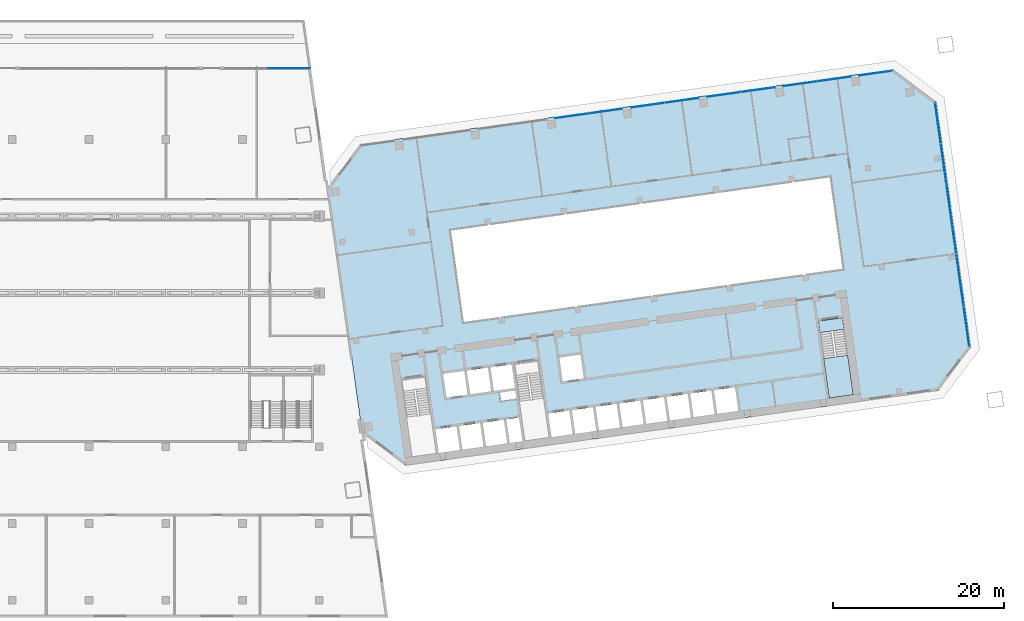
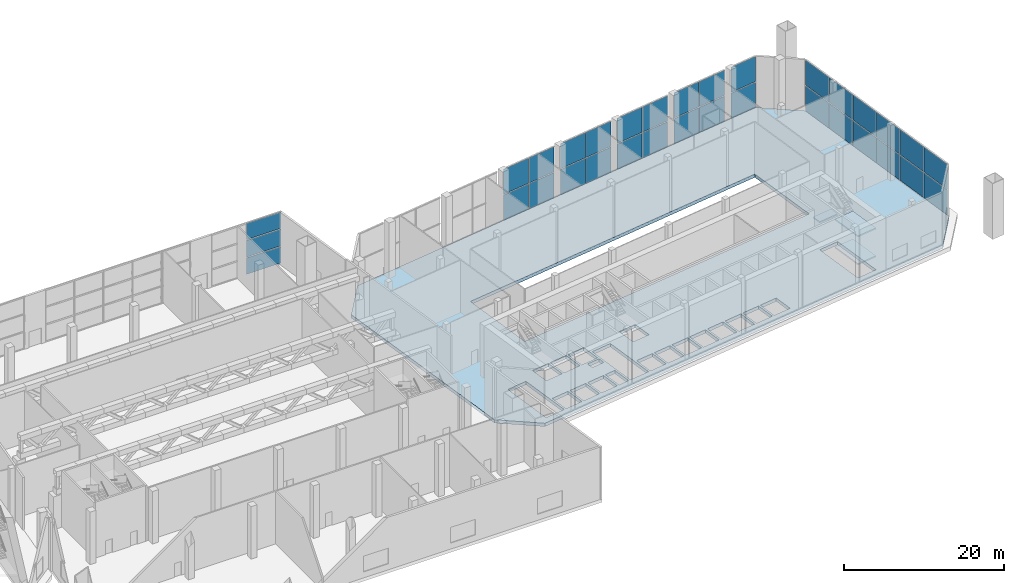
# One storey, part 16 of 31: 33 plates, 4 slabs, 4 elements without a shape of their own.
"""IFC4 building model written with IfcOpenShell, lengths in metres."""

from ifc_helpers import new_model, si_unit, direction, frame, origin, origin_2d, place, context, subcontext, project, spatial, polyline, rectangle, outline, extrude, material, layer, layer_set, type_object, element, aggregate, save


model = new_model("IFC4")

# Units and contexts
model_context = context("Model", 3, precision=1e-05, world=origin(), true_north=direction((0.0, 1.0)))
body_context = subcontext(model_context, "Body", "Model", "MODEL_VIEW")
ifc_project = project(units=[si_unit("LENGTHUNIT", "METRE"), si_unit("AREAUNIT", "SQUARE_METRE"), si_unit("VOLUMEUNIT", "CUBIC_METRE"), si_unit("PLANEANGLEUNIT", "RADIAN"), si_unit("MASSUNIT", "GRAM", prefix="KILO")], contexts=[model_context])

# Site, building, storey
site_placement = place(None, origin())
site = spatial("IfcSite", under=ifc_project, at=site_placement, CompositionType="ELEMENT")
building_placement = place(site_placement, origin())
building = spatial("IfcBuilding", under=site, at=building_placement, Name="Mirante Cascada Hotel Towers", CompositionType="ELEMENT")
storey_placement = place(building_placement, frame((0.0, 0.0, 9.0)))
storey = spatial("IfcBuildingStorey", under=building, at=storey_placement, Name="L01", CompositionType="ELEMENT", Elevation=9.0)

# Curtain wall, plates
ifc_material_1 = material(Name="Aluminium mullion and transom frame with clear laminated glass", Category="aluminium")
curtain_wall_type = type_object("IfcCurtainWallType", Name="Podium curtain wall ECW3", PredefinedType="NOTDEFINED", material=ifc_material_1)
curtain_wall_1_placement = place(storey_placement, origin())
curtain_wall_1 = element("IfcCurtainWall", 1, at=curtain_wall_1_placement, inside=storey, type_object=curtain_wall_type, Name="Front podium glazing T2 L01", PredefinedType="NOTDEFINED")
ifc_material_2 = material(Name="Clear laminated glass", Category="glass")
ifc_layer_1 = layer(ifc_material_2, 0.04)
ifc_layer_set_1 = layer_set([ifc_layer_1], Name="ECW3 glass panel 40")
plate_type = type_object("IfcPlateType", Name="ECW3 glass panel 40", PredefinedType="CURTAIN_PANEL", material=ifc_layer_set_1)
plate_1_placement = place(storey_placement, frame((92.1787, 25.7739, 0.12), z_axis=(0.0, 0.0, 1.0), x_axis=(-0.9902681, -0.1391731, 0.0)))
plate_1 = element("IfcPlate", 2, at=plate_1_placement, type_object=plate_type, Name="ECW3 panel 1", PredefinedType="CURTAIN_PANEL", context=body_context, shape_type="SweptSolid", body=[
    extrude(rectangle(XDim=3.8379, YDim=0.04, at=origin_2d()), origin(), (0.0, 0.0, 1.0), 3.82),
])
plate_2_placement = place(storey_placement, frame((92.1787, 25.7739, 4.06), z_axis=(0.0, 0.0, 1.0), x_axis=(-0.9902681, -0.1391731, 0.0)))
plate_2 = element("IfcPlate", 3, at=plate_2_placement, type_object=plate_type, Name="ECW3 panel 1", PredefinedType="CURTAIN_PANEL", context=body_context, shape_type="SweptSolid", body=[
    extrude(rectangle(XDim=3.8379, YDim=0.04, at=origin_2d()), origin(), (0.0, 0.0, 1.0), 3.82),
])
plate_3_placement = place(storey_placement, frame((87.2757, 25.0848, 0.12), z_axis=(0.0, 0.0, 1.0), x_axis=(-0.9902681, -0.1391731, 0.0)))
plate_3 = element("IfcPlate", 4, at=plate_3_placement, type_object=plate_type, Name="ECW3 panel 2", PredefinedType="CURTAIN_PANEL", context=body_context, shape_type="SweptSolid", body=[
    extrude(rectangle(XDim=3.9844, YDim=0.04, at=origin_2d()), origin(), (0.0, 0.0, 1.0), 3.82),
])
plate_4_placement = place(storey_placement, frame((87.2757, 25.0848, 4.06), z_axis=(0.0, 0.0, 1.0), x_axis=(-0.9902681, -0.1391731, 0.0)))
plate_4 = element("IfcPlate", 5, at=plate_4_placement, type_object=plate_type, Name="ECW3 panel 2", PredefinedType="CURTAIN_PANEL", context=body_context, shape_type="SweptSolid", body=[
    extrude(rectangle(XDim=3.9844, YDim=0.04, at=origin_2d()), origin(), (0.0, 0.0, 1.0), 3.82),
])
plate_5_placement = place(storey_placement, frame((83.2949, 24.5254, 0.12), z_axis=(0.0, 0.0, 1.0), x_axis=(-0.9902681, -0.1391731, 0.0)))
plate_5 = element("IfcPlate", 6, at=plate_5_placement, type_object=plate_type, Name="ECW3 panel 3", PredefinedType="CURTAIN_PANEL", context=body_context, shape_type="SweptSolid", body=[
    extrude(rectangle(XDim=3.8956, YDim=0.04, at=origin_2d()), origin(), (0.0, 0.0, 1.0), 3.82),
])
plate_6_placement = place(storey_placement, frame((83.2949, 24.5254, 4.06), z_axis=(0.0, 0.0, 1.0), x_axis=(-0.9902681, -0.1391731, 0.0)))
plate_6 = element("IfcPlate", 7, at=plate_6_placement, type_object=plate_type, Name="ECW3 panel 3", PredefinedType="CURTAIN_PANEL", context=body_context, shape_type="SweptSolid", body=[
    extrude(rectangle(XDim=3.8956, YDim=0.04, at=origin_2d()), origin(), (0.0, 0.0, 1.0), 3.82),
])
plate_7_placement = place(storey_placement, frame((78.3721, 23.8335, 0.12), z_axis=(0.0, 0.0, 1.0), x_axis=(-0.9902681, -0.1391731, 0.0)))
plate_7 = element("IfcPlate", 8, at=plate_7_placement, type_object=plate_type, Name="ECW3 panel 4", PredefinedType="CURTAIN_PANEL", context=body_context, shape_type="SweptSolid", body=[
    extrude(rectangle(XDim=3.9666, YDim=0.04, at=origin_2d()), origin(), (0.0, 0.0, 1.0), 3.82),
])
plate_8_placement = place(storey_placement, frame((78.3721, 23.8335, 4.06), z_axis=(0.0, 0.0, 1.0), x_axis=(-0.9902681, -0.1391731, 0.0)))
plate_8 = element("IfcPlate", 9, at=plate_8_placement, type_object=plate_type, Name="ECW3 panel 4", PredefinedType="CURTAIN_PANEL", context=body_context, shape_type="SweptSolid", body=[
    extrude(rectangle(XDim=3.9666, YDim=0.04, at=origin_2d()), origin(), (0.0, 0.0, 1.0), 3.82),
])
plate_9_placement = place(storey_placement, frame((74.3912, 23.274, 0.12), z_axis=(0.0, 0.0, 1.0), x_axis=(-0.9902681, -0.1391731, 0.0)))
plate_9 = element("IfcPlate", 10, at=plate_9_placement, type_object=plate_type, Name="ECW3 panel 5", PredefinedType="CURTAIN_PANEL", context=body_context, shape_type="SweptSolid", body=[
    extrude(rectangle(XDim=3.9134, YDim=0.04, at=origin_2d()), origin(), (0.0, 0.0, 1.0), 3.82),
])
plate_10_placement = place(storey_placement, frame((74.3912, 23.274, 4.06), z_axis=(0.0, 0.0, 1.0), x_axis=(-0.9902681, -0.1391731, 0.0)))
plate_10 = element("IfcPlate", 11, at=plate_10_placement, type_object=plate_type, Name="ECW3 panel 5", PredefinedType="CURTAIN_PANEL", context=body_context, shape_type="SweptSolid", body=[
    extrude(rectangle(XDim=3.9134, YDim=0.04, at=origin_2d()), origin(), (0.0, 0.0, 1.0), 3.82),
])
plate_11_placement = place(storey_placement, frame((69.4685, 22.5822, 0.12), z_axis=(0.0, 0.0, 1.0), x_axis=(-0.9902681, -0.1391731, 0.0)))
plate_11 = element("IfcPlate", 12, at=plate_11_placement, type_object=plate_type, Name="ECW3 panel 6", PredefinedType="CURTAIN_PANEL", context=body_context, shape_type="SweptSolid", body=[
    extrude(rectangle(XDim=3.9489, YDim=0.04, at=origin_2d()), origin(), (0.0, 0.0, 1.0), 3.82),
])
plate_12_placement = place(storey_placement, frame((69.4685, 22.5822, 4.06), z_axis=(0.0, 0.0, 1.0), x_axis=(-0.9902681, -0.1391731, 0.0)))
plate_12 = element("IfcPlate", 13, at=plate_12_placement, type_object=plate_type, Name="ECW3 panel 6", PredefinedType="CURTAIN_PANEL", context=body_context, shape_type="SweptSolid", body=[
    extrude(rectangle(XDim=3.9489, YDim=0.04, at=origin_2d()), origin(), (0.0, 0.0, 1.0), 3.82),
])
plate_13_placement = place(storey_placement, frame((65.4876, 22.0227, 0.12), z_axis=(0.0, 0.0, 1.0), x_axis=(-0.9902681, -0.1391731, 0.0)))
plate_13 = element("IfcPlate", 14, at=plate_13_placement, type_object=plate_type, Name="ECW3 panel 7", PredefinedType="CURTAIN_PANEL", context=body_context, shape_type="SweptSolid", body=[
    extrude(rectangle(XDim=3.9311, YDim=0.04, at=origin_2d()), origin(), (0.0, 0.0, 1.0), 3.82),
])
plate_14_placement = place(storey_placement, frame((65.4876, 22.0227, 4.06), z_axis=(0.0, 0.0, 1.0), x_axis=(-0.9902681, -0.1391731, 0.0)))
plate_14 = element("IfcPlate", 15, at=plate_14_placement, type_object=plate_type, Name="ECW3 panel 7", PredefinedType="CURTAIN_PANEL", context=body_context, shape_type="SweptSolid", body=[
    extrude(rectangle(XDim=3.9311, YDim=0.04, at=origin_2d()), origin(), (0.0, 0.0, 1.0), 3.82),
])
plate_15_placement = place(storey_placement, frame((60.5649, 21.3309, 0.12), z_axis=(0.0, 0.0, 1.0), x_axis=(-0.9902681, -0.1391731, 0.0)))
plate_15 = element("IfcPlate", 16, at=plate_15_placement, type_object=plate_type, Name="ECW3 panel 8", PredefinedType="CURTAIN_PANEL", context=body_context, shape_type="SweptSolid", body=[
    extrude(rectangle(XDim=3.9311, YDim=0.04, at=origin_2d()), origin(), (0.0, 0.0, 1.0), 3.82),
])
plate_16_placement = place(storey_placement, frame((60.5649, 21.3309, 4.06), z_axis=(0.0, 0.0, 1.0), x_axis=(-0.9902681, -0.1391731, 0.0)))
plate_16 = element("IfcPlate", 17, at=plate_16_placement, type_object=plate_type, Name="ECW3 panel 8", PredefinedType="CURTAIN_PANEL", context=body_context, shape_type="SweptSolid", body=[
    extrude(rectangle(XDim=3.9311, YDim=0.04, at=origin_2d()), origin(), (0.0, 0.0, 1.0), 3.82),
])
plate_17_placement = place(storey_placement, frame((56.584, 20.7714, 0.12), z_axis=(0.0, 0.0, 1.0), x_axis=(-0.9902681, -0.1391731, 0.0)))
plate_17 = element("IfcPlate", 18, at=plate_17_placement, type_object=plate_type, Name="ECW3 panel 9", PredefinedType="CURTAIN_PANEL", context=body_context, shape_type="SweptSolid", body=[
    extrude(rectangle(XDim=3.9489, YDim=0.04, at=origin_2d()), origin(), (0.0, 0.0, 1.0), 3.82),
])
plate_18_placement = place(storey_placement, frame((56.584, 20.7714, 4.06), z_axis=(0.0, 0.0, 1.0), x_axis=(-0.9902681, -0.1391731, 0.0)))
plate_18 = element("IfcPlate", 19, at=plate_18_placement, type_object=plate_type, Name="ECW3 panel 9", PredefinedType="CURTAIN_PANEL", context=body_context, shape_type="SweptSolid", body=[
    extrude(rectangle(XDim=3.9489, YDim=0.04, at=origin_2d()), origin(), (0.0, 0.0, 1.0), 3.82),
])
aggregate(curtain_wall_1, [plate_1, plate_2, plate_3, plate_4, plate_5, plate_6, plate_7, plate_8, plate_9, plate_10, plate_11, plate_12, plate_13, plate_14, plate_15, plate_16, plate_17, plate_18])

curtain_wall_2_placement = place(storey_placement, origin())
curtain_wall_2 = element("IfcCurtainWall", 20, at=curtain_wall_2_placement, inside=storey, type_object=curtain_wall_type, Name="Outer end podium glazing T2 L01", PredefinedType="NOTDEFINED")
plate_19_placement = place(storey_placement, frame((102.8224, -3.8951, 0.12), z_axis=(0.0, 0.0, 1.0), x_axis=(-0.1391731, 0.9902681, 0.0)))
plate_19 = element("IfcPlate", 21, at=plate_19_placement, type_object=plate_type, Name="ECW3 panel 1", PredefinedType="CURTAIN_PANEL", context=body_context, shape_type="SweptSolid", body=[
    extrude(rectangle(XDim=4.6926, YDim=0.04, at=origin_2d()), origin(), (0.0, 0.0, 1.0), 3.82),
])
plate_20_placement = place(storey_placement, frame((102.8224, -3.8951, 4.06), z_axis=(0.0, 0.0, 1.0), x_axis=(-0.1391731, 0.9902681, 0.0)))
plate_20 = element("IfcPlate", 22, at=plate_20_placement, type_object=plate_type, Name="ECW3 panel 1", PredefinedType="CURTAIN_PANEL", context=body_context, shape_type="SweptSolid", body=[
    extrude(rectangle(XDim=4.6926, YDim=0.04, at=origin_2d()), origin(), (0.0, 0.0, 1.0), 3.82),
])
plate_21_placement = place(storey_placement, frame((102.1554, 0.8509, 0.12), z_axis=(0.0, 0.0, 1.0), x_axis=(-0.1391731, 0.9902681, 0.0)))
plate_21 = element("IfcPlate", 23, at=plate_21_placement, type_object=plate_type, Name="ECW3 panel 2", PredefinedType="CURTAIN_PANEL", context=body_context, shape_type="SweptSolid", body=[
    extrude(rectangle(XDim=4.7326, YDim=0.04, at=origin_2d()), origin(), (0.0, 0.0, 1.0), 3.82),
])
plate_22_placement = place(storey_placement, frame((102.1554, 0.8509, 4.06), z_axis=(0.0, 0.0, 1.0), x_axis=(-0.1391731, 0.9902681, 0.0)))
plate_22 = element("IfcPlate", 24, at=plate_22_placement, type_object=plate_type, Name="ECW3 panel 2", PredefinedType="CURTAIN_PANEL", context=body_context, shape_type="SweptSolid", body=[
    extrude(rectangle(XDim=4.7326, YDim=0.04, at=origin_2d()), origin(), (0.0, 0.0, 1.0), 3.82),
])
plate_23_placement = place(storey_placement, frame((101.4857, 5.6167, 0.12), z_axis=(0.0, 0.0, 1.0), x_axis=(-0.1391731, 0.9902681, 0.0)))
plate_23 = element("IfcPlate", 25, at=plate_23_placement, type_object=plate_type, Name="ECW3 panel 3", PredefinedType="CURTAIN_PANEL", context=body_context, shape_type="SweptSolid", body=[
    extrude(rectangle(XDim=4.7326, YDim=0.04, at=origin_2d()), origin(), (0.0, 0.0, 1.0), 3.82),
])
plate_24_placement = place(storey_placement, frame((101.4857, 5.6167, 4.06), z_axis=(0.0, 0.0, 1.0), x_axis=(-0.1391731, 0.9902681, 0.0)))
plate_24 = element("IfcPlate", 26, at=plate_24_placement, type_object=plate_type, Name="ECW3 panel 3", PredefinedType="CURTAIN_PANEL", context=body_context, shape_type="SweptSolid", body=[
    extrude(rectangle(XDim=4.7326, YDim=0.04, at=origin_2d()), origin(), (0.0, 0.0, 1.0), 3.82),
])
plate_25_placement = place(storey_placement, frame((100.8159, 10.3825, 0.12), z_axis=(0.0, 0.0, 1.0), x_axis=(-0.1391731, 0.9902681, 0.0)))
plate_25 = element("IfcPlate", 27, at=plate_25_placement, type_object=plate_type, Name="ECW3 panel 4", PredefinedType="CURTAIN_PANEL", context=body_context, shape_type="SweptSolid", body=[
    extrude(rectangle(XDim=4.7326, YDim=0.04, at=origin_2d()), origin(), (0.0, 0.0, 1.0), 3.82),
])
plate_26_placement = place(storey_placement, frame((100.8159, 10.3825, 4.06), z_axis=(0.0, 0.0, 1.0), x_axis=(-0.1391731, 0.9902681, 0.0)))
plate_26 = element("IfcPlate", 28, at=plate_26_placement, type_object=plate_type, Name="ECW3 panel 4", PredefinedType="CURTAIN_PANEL", context=body_context, shape_type="SweptSolid", body=[
    extrude(rectangle(XDim=4.7326, YDim=0.04, at=origin_2d()), origin(), (0.0, 0.0, 1.0), 3.82),
])
plate_27_placement = place(storey_placement, frame((100.1461, 15.1483, 0.12), z_axis=(0.0, 0.0, 1.0), x_axis=(-0.1391731, 0.9902681, 0.0)))
plate_27 = element("IfcPlate", 29, at=plate_27_placement, type_object=plate_type, Name="ECW3 panel 5", PredefinedType="CURTAIN_PANEL", context=body_context, shape_type="SweptSolid", body=[
    extrude(rectangle(XDim=4.7326, YDim=0.04, at=origin_2d()), origin(), (0.0, 0.0, 1.0), 3.82),
])
plate_28_placement = place(storey_placement, frame((100.1461, 15.1483, 4.06), z_axis=(0.0, 0.0, 1.0), x_axis=(-0.1391731, 0.9902681, 0.0)))
plate_28 = element("IfcPlate", 30, at=plate_28_placement, type_object=plate_type, Name="ECW3 panel 5", PredefinedType="CURTAIN_PANEL", context=body_context, shape_type="SweptSolid", body=[
    extrude(rectangle(XDim=4.7326, YDim=0.04, at=origin_2d()), origin(), (0.0, 0.0, 1.0), 3.82),
])
plate_29_placement = place(storey_placement, frame((99.4791, 19.8942, 0.12), z_axis=(0.0, 0.0, 1.0), x_axis=(-0.1391731, 0.9902681, 0.0)))
plate_29 = element("IfcPlate", 31, at=plate_29_placement, type_object=plate_type, Name="ECW3 panel 6", PredefinedType="CURTAIN_PANEL", context=body_context, shape_type="SweptSolid", body=[
    extrude(rectangle(XDim=4.6926, YDim=0.04, at=origin_2d()), origin(), (0.0, 0.0, 1.0), 3.82),
])
plate_30_placement = place(storey_placement, frame((99.4791, 19.8942, 4.06), z_axis=(0.0, 0.0, 1.0), x_axis=(-0.1391731, 0.9902681, 0.0)))
plate_30 = element("IfcPlate", 32, at=plate_30_placement, type_object=plate_type, Name="ECW3 panel 6", PredefinedType="CURTAIN_PANEL", context=body_context, shape_type="SweptSolid", body=[
    extrude(rectangle(XDim=4.6926, YDim=0.04, at=origin_2d()), origin(), (0.0, 0.0, 1.0), 3.82),
])
aggregate(curtain_wall_2, [plate_19, plate_20, plate_21, plate_22, plate_23, plate_24, plate_25, plate_26, plate_27, plate_28, plate_29, plate_30])

curtain_wall_3_placement = place(storey_placement, origin())
curtain_wall_3 = element("IfcCurtainWall", 33, at=curtain_wall_3_placement, inside=storey, type_object=curtain_wall_type, Name="Podium curtain wall L01 run 4.1", PredefinedType="NOTDEFINED")
plate_31_placement = place(storey_placement, frame((23.4389, 26.35, 0.12), z_axis=(0.0, 0.0, 1.0), x_axis=(-1.0, 0.0, 0.0)))
plate_31 = element("IfcPlate", 34, at=plate_31_placement, type_object=plate_type, Name="ECW3 panel 1", PredefinedType="CURTAIN_PANEL", context=body_context, shape_type="SweptSolid", body=[
    extrude(rectangle(XDim=4.9513, YDim=0.04, at=origin_2d()), origin(), (0.0, 0.0, 1.0), 2.4867),
])
plate_32_placement = place(storey_placement, frame((23.4389, 26.35, 2.7266), z_axis=(0.0, 0.0, 1.0), x_axis=(-1.0, 0.0, 0.0)))
plate_32 = element("IfcPlate", 35, at=plate_32_placement, type_object=plate_type, Name="ECW3 panel 1", PredefinedType="CURTAIN_PANEL", context=body_context, shape_type="SweptSolid", body=[
    extrude(rectangle(XDim=4.9513, YDim=0.04, at=origin_2d()), origin(), (0.0, 0.0, 1.0), 2.5467),
])
plate_33_placement = place(storey_placement, frame((23.4389, 26.35, 5.3934), z_axis=(0.0, 0.0, 1.0), x_axis=(-1.0, 0.0, 0.0)))
plate_33 = element("IfcPlate", 36, at=plate_33_placement, type_object=plate_type, Name="ECW3 panel 1", PredefinedType="CURTAIN_PANEL", context=body_context, shape_type="SweptSolid", body=[
    extrude(rectangle(XDim=4.9513, YDim=0.04, at=origin_2d()), origin(), (0.0, 0.0, 1.0), 2.4867),
])
aggregate(curtain_wall_3, [plate_31, plate_32, plate_33])

# Stair, slabs
ifc_material_3 = material(Name="Concrete C35/45", Category="concrete")
stair_type = type_object("IfcStairType", Name="Exit stair half-turn 1350 concrete C35/45", PredefinedType="HALF_TURN_STAIR", material=ifc_material_3)
stair_placement = place(storey_placement, origin())
stair = element("IfcStair", 37, at=stair_placement, inside=storey, type_object=stair_type, Name="L01 Exit stair C", PredefinedType="HALF_TURN_STAIR")
ifc_material_4 = material(Name="Concrete C35/45", Category="concrete")
ifc_layer_2 = layer(ifc_material_4, 0.2)
ifc_layer_set_2 = layer_set([ifc_layer_2], Name="Exit stair landing 200 concrete C35/45")
slab_type_1 = type_object("IfcSlabType", Name="Exit stair landing 200 concrete C35/45", PredefinedType="LANDING", material=ifc_layer_set_2)
slab_1_placement = place(storey_placement, frame((0.0, 0.0, 1.925)))
slab_1 = element("IfcSlab", 38, at=slab_1_placement, type_object=slab_type_1, Name="ST2-C landing 1", PredefinedType="LANDING", context=body_context, shape_type="SweptSolid", body=[
    extrude(outline(polyline([(86.0852, -7.6717), (86.7362, -12.3041), (89.5585, -11.9075), (88.9074, -7.275), (86.0852, -7.6717)])), origin(), (0.0, 0.0, 1.0), 0.2),
])
slab_2_placement = place(storey_placement, frame((0.0, 0.0, 4.05)))
slab_2 = element("IfcSlab", 39, at=slab_2_placement, type_object=slab_type_1, Name="ST2-C landing 2", PredefinedType="LANDING", context=body_context, shape_type="SweptSolid", body=[
    extrude(outline(polyline([(85.4697, -3.2927), (85.6587, -4.6375), (88.481, -4.2408), (88.292, -2.896), (85.4697, -3.2927)])), origin(), (0.0, 0.0, 1.0), 0.2),
])
slab_3_placement = place(storey_placement, frame((0.0, 0.0, 6.175)))
slab_3 = element("IfcSlab", 40, at=slab_3_placement, type_object=slab_type_1, Name="ST2-C landing 3", PredefinedType="LANDING", context=body_context, shape_type="SweptSolid", body=[
    extrude(outline(polyline([(86.0852, -7.6717), (86.7362, -12.3041), (89.5585, -11.9075), (88.9074, -7.275), (86.0852, -7.6717)])), origin(), (0.0, 0.0, 1.0), 0.2),
])
aggregate(stair, [slab_1, slab_2, slab_3])

# Slab
ifc_material_5 = material(Name="Concrete C40/50", Category="concrete")
ifc_layer_3 = layer(ifc_material_5, 0.5)
ifc_layer_set_3 = layer_set([ifc_layer_3], Name="Post-tensioned flat plate 500 Concrete C40/50")
slab_type_2 = type_object("IfcSlabType", Name="Post-tensioned flat plate 500 Concrete C40/50", PredefinedType="FLOOR", material=ifc_layer_set_3)
slab_4_placement = place(storey_placement, frame((0.0, 0.0, -0.5)))
element("IfcSlab", 41, at=slab_4_placement, inside=storey, type_object=slab_type_2, Name="Floor T2 L01", PredefinedType="FLOOR", context=body_context, shape_type="SweptSolid", body=[
    extrude(outline(polyline([(32.018, -16.3589), (27.982, 12.3589), (31.8119, 17.4414), (94.1988, 26.2093), (99.2813, 22.3794), (103.3173, -6.3384), (99.4874, -11.4209), (37.1005, -20.1888), (32.018, -16.3589)]), holes=[polyline([(43.0718, -15.6132), (40.5961, -15.9612), (40.9858, -18.7339), (43.4615, -18.386), (43.0718, -15.6132)]), polyline([(45.8446, -15.2236), (43.3689, -15.5715), (43.7586, -18.3442), (46.2342, -17.9963), (45.8446, -15.2236)]), polyline([(48.6173, -14.8339), (46.1416, -15.1818), (46.5313, -17.9546), (49.007, -17.6066), (48.6173, -14.8339)]), polyline([(50.7895, -17.3561), (50.3998, -14.5834), (48.9144, -14.7921), (49.3041, -17.5649), (50.7895, -17.3561)]), polyline([(56.6816, -16.528), (56.2919, -13.7553), (53.8162, -14.1032), (54.2059, -16.876), (56.6816, -16.528)]), polyline([(37.8665, -19.1723), (40.6887, -18.7757), (39.611, -11.107), (36.7887, -11.5037), (37.8665, -19.1723)]), polyline([(51.0866, -17.3144), (53.9088, -16.9177), (52.8311, -9.2491), (50.0088, -9.6457), (51.0866, -17.3144)]), polyline([(49.9544, -11.4145), (48.1472, -11.6685), (48.2829, -12.634), (50.0901, -12.38), (49.9544, -11.4145)]), polyline([(44.3672, -11.8968), (43.9775, -9.124), (41.5018, -9.472), (41.8915, -12.2447), (44.3672, -11.8968)]), polyline([(47.1399, -11.5071), (46.7503, -8.7344), (44.2746, -9.0823), (44.6643, -11.855), (47.1399, -11.5071)]), polyline([(49.523, -8.3447), (47.0473, -8.6926), (47.437, -11.4654), (49.9127, -11.1174), (49.523, -8.3447)]), polyline([(59.0646, -13.3656), (56.589, -13.7135), (56.9787, -16.4863), (59.4543, -16.1383), (59.0646, -13.3656)]), polyline([(61.8374, -12.9759), (59.3617, -13.3238), (59.7514, -16.0966), (62.2271, -15.7487), (61.8374, -12.9759)]), polyline([(64.9998, -15.359), (64.6101, -12.5862), (62.1345, -12.9342), (62.5242, -15.7069), (64.9998, -15.359)]), polyline([(67.7726, -14.9693), (67.3829, -12.1965), (64.9072, -12.5445), (65.2969, -15.3172), (67.7726, -14.9693)]), polyline([(70.1556, -11.8069), (67.68, -12.1548), (68.0697, -14.9275), (70.5453, -14.5796), (70.1556, -11.8069)]), polyline([(73.3181, -14.1899), (72.9284, -11.4172), (70.4527, -11.7651), (70.8424, -14.5379), (73.3181, -14.1899)]), polyline([(76.0908, -13.8002), (75.7011, -11.0275), (73.2255, -11.3754), (73.6152, -14.1482), (76.0908, -13.8002)]), polyline([(86.7362, -12.3041), (89.5585, -11.9075), (88.4807, -4.2388), (85.6585, -4.6355), (86.7362, -12.3041)]), polyline([(57.9834, -9.9832), (57.5937, -7.2104), (55.118, -7.5583), (55.5077, -10.3311), (57.9834, -9.9832)]), polyline([(88.4039, 2.7747), (86.873, 13.6677), (42.3109, 7.4049), (43.8418, -3.4881), (88.4039, 2.7747)])]), origin(), (0.0, 0.0, 1.0), 0.5),
])

save(model, "model.ifc")
